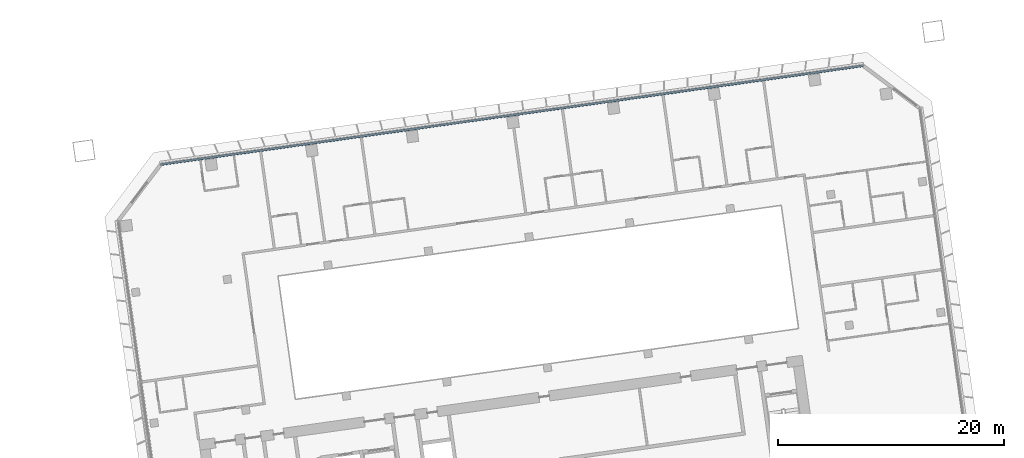
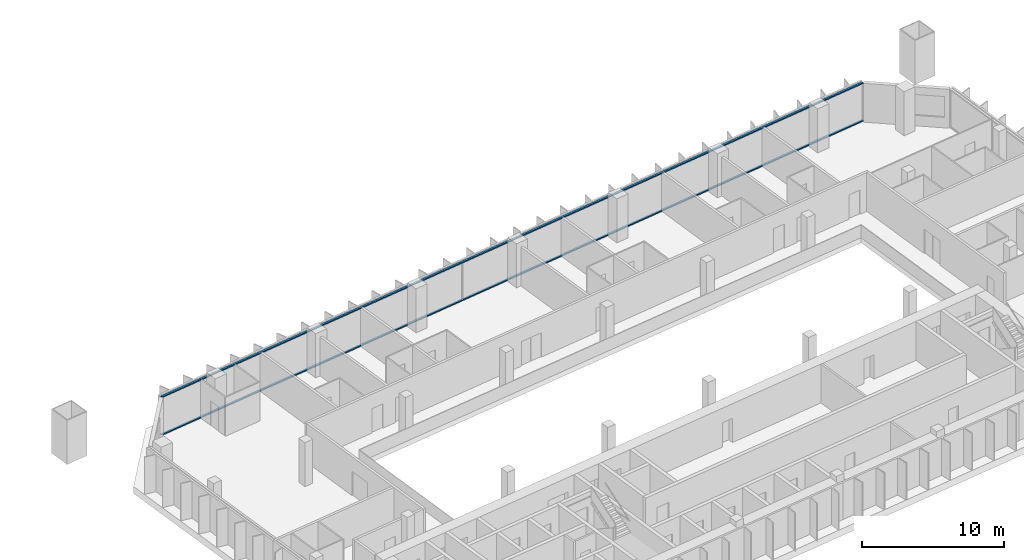
# One storey, part 9 of 24: 2 members, 1 element without a shape of its own.
"""IFC4 building model written with IfcOpenShell, lengths in metres."""

from ifc_helpers import new_model, si_unit, direction, frame, origin, origin_2d, place, context, subcontext, project, spatial, rectangle, extrude, material, material_profile, profile_set, type_object, element, aggregate, save


model = new_model("IFC4")

# Units and contexts
model_context = context("Model", 3, precision=1e-05, world=origin(), true_north=direction((0.0, 1.0)))
body_context = subcontext(model_context, "Body", "Model", "MODEL_VIEW")
ifc_project = project(units=[si_unit("LENGTHUNIT", "METRE"), si_unit("AREAUNIT", "SQUARE_METRE"), si_unit("VOLUMEUNIT", "CUBIC_METRE"), si_unit("PLANEANGLEUNIT", "RADIAN"), si_unit("MASSUNIT", "GRAM", prefix="KILO")], contexts=[model_context])

# Site, building, storey
site_placement = place(None, origin())
site = spatial("IfcSite", under=ifc_project, at=site_placement, CompositionType="ELEMENT")
building_placement = place(site_placement, origin())
building = spatial("IfcBuilding", under=site, at=building_placement, Name="Mirante Cascada Hotel Towers", CompositionType="ELEMENT")
storey_placement = place(building_placement, frame((0.0, 0.0, 77.5)))
storey = spatial("IfcBuildingStorey", under=building, at=storey_placement, Name="L16", CompositionType="ELEMENT", Elevation=77.5)

# Curtain wall, members
ifc_material_1 = material(Name="Aluminium mullion and transom frame with clear laminated glass", Category="aluminium")
curtain_wall_type = type_object("IfcCurtainWallType", Name="Ribbon curtain wall ECW1", PredefinedType="NOTDEFINED", material=ifc_material_1)
curtain_wall_placement = place(storey_placement, origin())
curtain_wall = element("IfcCurtainWall", 1, at=curtain_wall_placement, inside=storey, type_object=curtain_wall_type, Name="Front ribbon wall T2 L16", PredefinedType="NOTDEFINED")
ifc_material_2 = material(Name="Anodised aluminium extrusion", Category="aluminium")
ifc_material_profile = material_profile(ifc_material_2, rectangle(XDim=0.16, YDim=0.1, at=origin_2d()), Name="ECW1 TRANSOM 100x160")
ifc_profile_set = profile_set([ifc_material_profile], Name="Anodised aluminium extrusion")
member_type = type_object("IfcMemberType", Name="ECW1 transom 100x160", PredefinedType="USERDEFINED", material=ifc_profile_set)
member_1_placement = place(storey_placement, frame((94.1582, 26.0521, 0.05), z_axis=(-0.9902681, -0.1391728, 0.0), x_axis=(0.1391728, -0.9902681, 0.0)))
member_1 = element("IfcMember", 2, at=member_1_placement, type_object=member_type, Name="ECW1 sill transom", ObjectType="TRANSOM", PredefinedType="USERDEFINED", context=body_context, shape_type="SweptSolid", body=[
    extrude(rectangle(XDim=0.16, YDim=0.1, at=origin_2d()), origin(), (0.0, 0.0, 1.0), 62.8758),
])
member_2_placement = place(storey_placement, frame((94.1582, 26.0521, 3.3), z_axis=(-0.9902681, -0.1391728, 0.0), x_axis=(0.1391728, -0.9902681, 0.0)))
member_2 = element("IfcMember", 3, at=member_2_placement, type_object=member_type, Name="ECW1 head transom", ObjectType="TRANSOM", PredefinedType="USERDEFINED", context=body_context, shape_type="SweptSolid", body=[
    extrude(rectangle(XDim=0.16, YDim=0.1, at=origin_2d()), origin(), (0.0, 0.0, 1.0), 62.8758),
])
aggregate(curtain_wall, [member_1, member_2])

save(model, "model.ifc")
